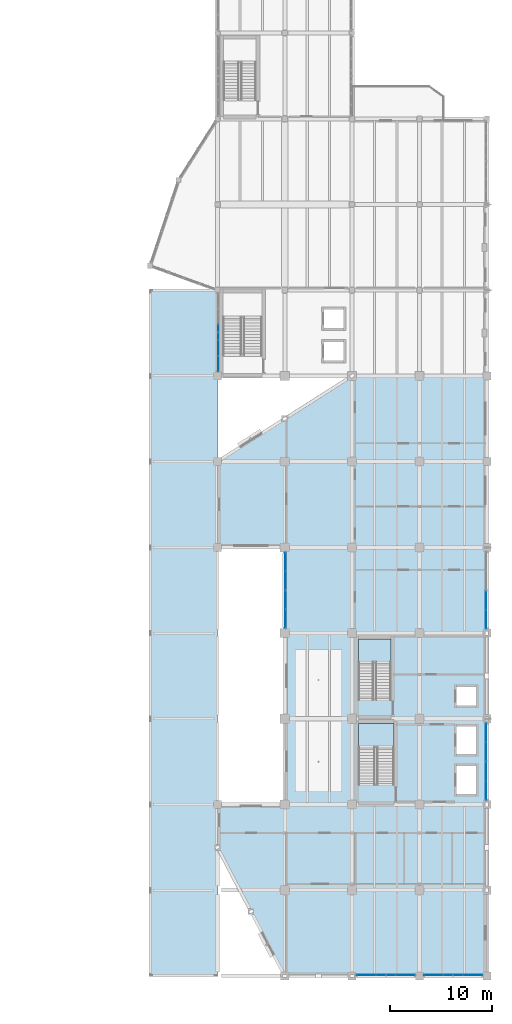
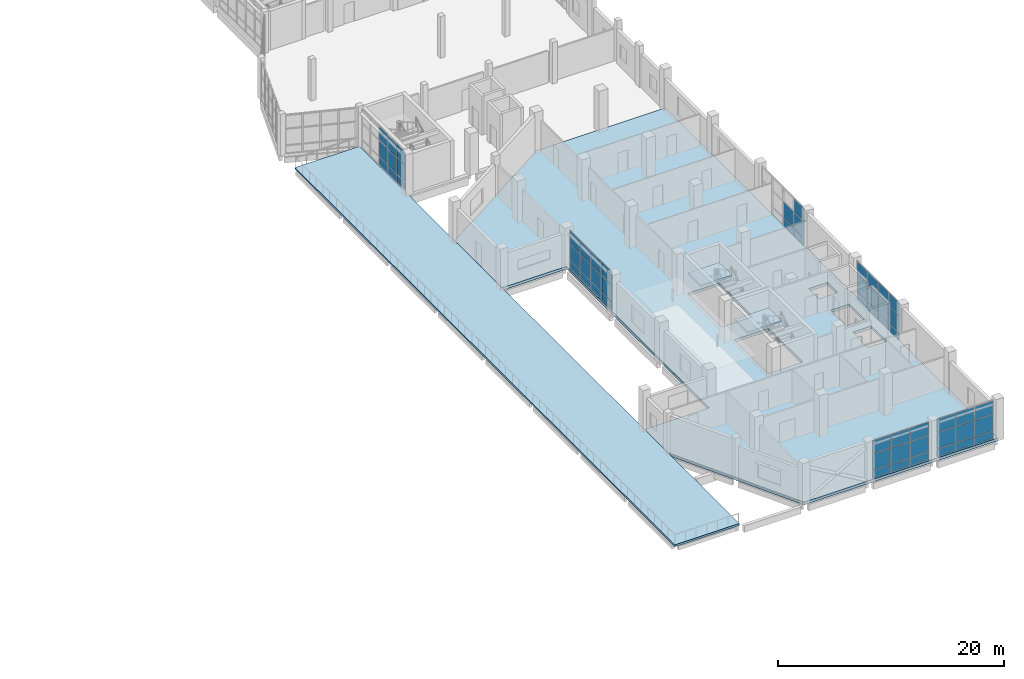
# One storey, part 43 of 83: 56 plates, 4 slabs, 8 elements without a shape of their own.
"""IFC4 building model written with IfcOpenShell, lengths in metres."""

from ifc_helpers import new_model, si_unit, direction, frame, origin, origin_2d, place, context, subcontext, project, spatial, polyline, rectangle, outline, extrude, material, layer, layer_set, type_object, element, aggregate, save


model = new_model("IFC4")

# Units and contexts
model_context = context("Model", 3, precision=1e-05, world=origin(), true_north=direction((0.0, 1.0)))
body_context = subcontext(model_context, "Body", "Model", "MODEL_VIEW")
ifc_project = project(units=[si_unit("LENGTHUNIT", "METRE"), si_unit("AREAUNIT", "SQUARE_METRE"), si_unit("VOLUMEUNIT", "CUBIC_METRE"), si_unit("PLANEANGLEUNIT", "RADIAN"), si_unit("MASSUNIT", "GRAM", prefix="KILO")], contexts=[model_context])

# Site, building, storey
site_placement = place(None, origin())
site = spatial("IfcSite", under=ifc_project, at=site_placement, CompositionType="ELEMENT")
building_placement = place(site_placement, origin())
building = spatial("IfcBuilding", under=site, at=building_placement, Name="Qaldarim Faculty of Natural and Applied Sciences", CompositionType="ELEMENT")
storey_placement = place(building_placement, frame((0.0, 0.0, 5.39990234375)))
storey = spatial("IfcBuildingStorey", under=building, at=storey_placement, Name="L01", CompositionType="ELEMENT", Elevation=5.39990234375)

# Slabs
ifc_material_1 = material(Name="Concrete C40/50", Category="concrete")
ifc_layer_1 = layer(ifc_material_1, 0.199951171875)
ifc_layer_set_1 = layer_set([ifc_layer_1], Name="Concrete C40/50")
slab_type_1 = type_object("IfcSlabType", Name="ColonnadeDeckSlab-200", PredefinedType="FLOOR", material=ifc_layer_set_1)
slab_1_placement = place(storey_placement, frame((0.0, 0.0, -0.199951171875)))
element("IfcSlab", 1, at=slab_1_placement, inside=storey, type_object=slab_type_1, Name="Civic square colonnade terrace deck L01-2", PredefinedType="FLOOR", context=body_context, shape_type="SweptSolid", body=[
    extrude(outline(polyline([(145.199951171875, 0.0), (145.199951171875, 67.199951171875), (151.800048828125, 67.199951171875), (151.800048828125, 0.0), (145.199951171875, 0.0)])), origin(), (0.0, 0.0, 1.0), 0.199951171875),
])
ifc_layer_2 = layer(ifc_material_1, 0.300048828125)
ifc_layer_set_2 = layer_set([ifc_layer_2], Name="Concrete C40/50")
slab_type_2 = type_object("IfcSlabType", Name="PodiumFloorSlab-300", PredefinedType="FLOOR", material=ifc_layer_set_2)
slab_2_placement = place(storey_placement, frame((0.0, 0.0, -0.2998046875)))
element("IfcSlab", 2, at=slab_2_placement, inside=storey, type_object=slab_type_2, Name="Floor slab L01 V5", PredefinedType="FLOOR", context=body_context, shape_type="SweptSolid", body=[
    extrude(outline(polyline([(158.39990234375, 0.0), (178.199951171875, 0.0), (178.199951171875, 58.800048828125), (165.0, 58.800048828125), (151.800048828125, 50.39990234375), (151.800048828125, 42.0), (158.39990234375, 42.0), (158.39990234375, 16.800048828125), (151.800048828125, 16.800048828125), (151.800048828125, 12.60009765625), (158.39990234375, 0.0)]), holes=[polyline([(169.10009765625, 18.764892578125), (169.10009765625, 24.77490234375), (165.60009765625, 24.77490234375), (165.60009765625, 18.764892578125), (169.10009765625, 18.764892578125)]), polyline([(168.800048828125, 27.06494140625), (168.800048828125, 33.02490234375), (165.60009765625, 33.02490234375), (165.60009765625, 27.06494140625), (168.800048828125, 27.06494140625)]), polyline([(175.25, 17.85009765625), (177.14990234375, 17.85009765625), (177.14990234375, 20.550048828125), (175.25, 20.550048828125), (175.25, 17.85009765625)]), polyline([(175.25, 21.75), (177.14990234375, 21.75), (177.14990234375, 24.449951171875), (175.25, 24.449951171875), (175.25, 21.75)]), polyline([(175.25, 26.5), (177.14990234375, 26.5), (177.14990234375, 28.300048828125), (175.25, 28.300048828125), (175.25, 26.5)])]), origin(), (0.0, 0.0, 1.0), 0.2998046875),
])

# Curtain wall, plates
ifc_material_2 = material(Name="Anodised aluminium AW-6063", Category="aluminium")
curtain_wall_type_1 = type_object("IfcCurtainWallType", Name="CurtainWallSystem-M1700", PredefinedType="USERDEFINED", material=ifc_material_2)
curtain_wall_1_placement = place(storey_placement, origin())
curtain_wall_1 = element("IfcCurtainWall", 3, at=curtain_wall_1_placement, inside=storey, type_object=curtain_wall_type_1, Name="Curtain wall CW-L01-W-X25Y05", ObjectType="UNITISED FACADE", PredefinedType="USERDEFINED")
ifc_material_3 = material(Name="Insulated low-e double glazing", Category="glass")
ifc_layer_3 = layer(ifc_material_3, 0.031982421875)
ifc_layer_set_3 = layer_set([ifc_layer_3], Name="Insulated low-e double glazing")
plate_type_1 = type_object("IfcPlateType", Name="SolarControlGlazingPanel-32", PredefinedType="CURTAIN_PANEL", material=ifc_layer_set_3)
plate_1_placement = place(storey_placement, frame((158.47998046875, 40.598876953125, 0.070068359375), z_axis=(0.0, 0.0, 1.0), x_axis=(0.0, -1.0, 0.0)))
plate_1 = element("IfcPlate", 4, at=plate_1_placement, type_object=plate_type_1, Name="Glazed panel 1-1 of CW-L01-W-X25Y05", PredefinedType="CURTAIN_PANEL", context=body_context, shape_type="SweptSolid", body=[
    extrude(rectangle(XDim=1.7724609375, YDim=0.031982421875, at=origin_2d()), origin(), (0.0, 0.0, 1.0), 0.794921875),
])
plate_2_placement = place(storey_placement, frame((158.47998046875, 40.598876953125, 0.93505859375), z_axis=(0.0, 0.0, 1.0), x_axis=(0.0, -1.0, 0.0)))
plate_2 = element("IfcPlate", 5, at=plate_2_placement, type_object=plate_type_1, Name="Glazed panel 1-2 of CW-L01-W-X25Y05", PredefinedType="CURTAIN_PANEL", context=body_context, shape_type="SweptSolid", body=[
    extrude(rectangle(XDim=1.7724609375, YDim=0.031982421875, at=origin_2d()), origin(), (0.0, 0.0, 1.0), 1.72998046875),
])
plate_3_placement = place(storey_placement, frame((158.47998046875, 40.598876953125, 2.735107421875), z_axis=(0.0, 0.0, 1.0), x_axis=(0.0, -1.0, 0.0)))
plate_3 = element("IfcPlate", 6, at=plate_3_placement, type_object=plate_type_1, Name="Glazed panel 1-3 of CW-L01-W-X25Y05", PredefinedType="CURTAIN_PANEL", context=body_context, shape_type="SweptSolid", body=[
    extrude(rectangle(XDim=1.7724609375, YDim=0.031982421875, at=origin_2d()), origin(), (0.0, 0.0, 1.0), 1.39501953125),
])
plate_4_placement = place(storey_placement, frame((158.47998046875, 38.73876953125, 0.070068359375), z_axis=(0.0, 0.0, 1.0), x_axis=(0.0, -1.0, 0.0)))
plate_4 = element("IfcPlate", 7, at=plate_4_placement, type_object=plate_type_1, Name="Glazed panel 2-1 of CW-L01-W-X25Y05", PredefinedType="CURTAIN_PANEL", context=body_context, shape_type="SweptSolid", body=[
    extrude(rectangle(XDim=1.8076171875, YDim=0.031982421875, at=origin_2d()), origin(), (0.0, 0.0, 1.0), 0.794921875),
])
plate_5_placement = place(storey_placement, frame((158.47998046875, 38.73876953125, 0.93505859375), z_axis=(0.0, 0.0, 1.0), x_axis=(0.0, -1.0, 0.0)))
plate_5 = element("IfcPlate", 8, at=plate_5_placement, type_object=plate_type_1, Name="Glazed panel 2-2 of CW-L01-W-X25Y05", PredefinedType="CURTAIN_PANEL", context=body_context, shape_type="SweptSolid", body=[
    extrude(rectangle(XDim=1.8076171875, YDim=0.031982421875, at=origin_2d()), origin(), (0.0, 0.0, 1.0), 1.72998046875),
])
plate_6_placement = place(storey_placement, frame((158.47998046875, 38.73876953125, 2.735107421875), z_axis=(0.0, 0.0, 1.0), x_axis=(0.0, -1.0, 0.0)))
plate_6 = element("IfcPlate", 9, at=plate_6_placement, type_object=plate_type_1, Name="Glazed panel 2-3 of CW-L01-W-X25Y05", PredefinedType="CURTAIN_PANEL", context=body_context, shape_type="SweptSolid", body=[
    extrude(rectangle(XDim=1.8076171875, YDim=0.031982421875, at=origin_2d()), origin(), (0.0, 0.0, 1.0), 1.39501953125),
])
plate_7_placement = place(storey_placement, frame((158.47998046875, 36.861083984375, 0.070068359375), z_axis=(0.0, 0.0, 1.0), x_axis=(0.0, -1.0, 0.0)))
plate_7 = element("IfcPlate", 10, at=plate_7_placement, type_object=plate_type_1, Name="Glazed panel 3-1 of CW-L01-W-X25Y05", PredefinedType="CURTAIN_PANEL", context=body_context, shape_type="SweptSolid", body=[
    extrude(rectangle(XDim=1.8076171875, YDim=0.031982421875, at=origin_2d()), origin(), (0.0, 0.0, 1.0), 0.794921875),
])
plate_8_placement = place(storey_placement, frame((158.47998046875, 36.861083984375, 0.93505859375), z_axis=(0.0, 0.0, 1.0), x_axis=(0.0, -1.0, 0.0)))
plate_8 = element("IfcPlate", 11, at=plate_8_placement, type_object=plate_type_1, Name="Glazed panel 3-2 of CW-L01-W-X25Y05", PredefinedType="CURTAIN_PANEL", context=body_context, shape_type="SweptSolid", body=[
    extrude(rectangle(XDim=1.8076171875, YDim=0.031982421875, at=origin_2d()), origin(), (0.0, 0.0, 1.0), 1.72998046875),
])
plate_9_placement = place(storey_placement, frame((158.47998046875, 36.861083984375, 2.735107421875), z_axis=(0.0, 0.0, 1.0), x_axis=(0.0, -1.0, 0.0)))
plate_9 = element("IfcPlate", 12, at=plate_9_placement, type_object=plate_type_1, Name="Glazed panel 3-3 of CW-L01-W-X25Y05", PredefinedType="CURTAIN_PANEL", context=body_context, shape_type="SweptSolid", body=[
    extrude(rectangle(XDim=1.8076171875, YDim=0.031982421875, at=origin_2d()), origin(), (0.0, 0.0, 1.0), 1.39501953125),
])
plate_10_placement = place(storey_placement, frame((158.47998046875, 35.001220703125, 0.070068359375), z_axis=(0.0, 0.0, 1.0), x_axis=(0.0, -1.0, 0.0)))
plate_10 = element("IfcPlate", 13, at=plate_10_placement, type_object=plate_type_1, Name="Glazed panel 4-1 of CW-L01-W-X25Y05", PredefinedType="CURTAIN_PANEL", context=body_context, shape_type="SweptSolid", body=[
    extrude(rectangle(XDim=1.7724609375, YDim=0.031982421875, at=origin_2d()), origin(), (0.0, 0.0, 1.0), 0.794921875),
])
plate_11_placement = place(storey_placement, frame((158.47998046875, 35.001220703125, 0.93505859375), z_axis=(0.0, 0.0, 1.0), x_axis=(0.0, -1.0, 0.0)))
plate_11 = element("IfcPlate", 14, at=plate_11_placement, type_object=plate_type_1, Name="Glazed panel 4-2 of CW-L01-W-X25Y05", PredefinedType="CURTAIN_PANEL", context=body_context, shape_type="SweptSolid", body=[
    extrude(rectangle(XDim=1.7724609375, YDim=0.031982421875, at=origin_2d()), origin(), (0.0, 0.0, 1.0), 1.72998046875),
])
plate_12_placement = place(storey_placement, frame((158.47998046875, 35.001220703125, 2.735107421875), z_axis=(0.0, 0.0, 1.0), x_axis=(0.0, -1.0, 0.0)))
plate_12 = element("IfcPlate", 15, at=plate_12_placement, type_object=plate_type_1, Name="Glazed panel 4-3 of CW-L01-W-X25Y05", PredefinedType="CURTAIN_PANEL", context=body_context, shape_type="SweptSolid", body=[
    extrude(rectangle(XDim=1.7724609375, YDim=0.031982421875, at=origin_2d()), origin(), (0.0, 0.0, 1.0), 1.39501953125),
])
aggregate(curtain_wall_1, [plate_1, plate_2, plate_3, plate_4, plate_5, plate_6, plate_7, plate_8, plate_9, plate_10, plate_11, plate_12])

curtain_wall_2_placement = place(storey_placement, origin())
curtain_wall_2 = element("IfcCurtainWall", 16, at=curtain_wall_2_placement, inside=storey, type_object=curtain_wall_type_1, Name="Curtain wall CW-L01-S-X26Y01", ObjectType="UNITISED FACADE", PredefinedType="USERDEFINED")
plate_13_placement = place(storey_placement, frame((166.380859375, 0.080078125, 0.070068359375), z_axis=(0.0, 0.0, 1.0), x_axis=(1.0, 0.0, 0.0)))
plate_13 = element("IfcPlate", 17, at=plate_13_placement, type_object=plate_type_1, Name="Glazed panel 1-1 of CW-L01-S-X26Y01", PredefinedType="CURTAIN_PANEL", context=body_context, shape_type="SweptSolid", body=[
    extrude(rectangle(XDim=1.831787109375, YDim=0.031982421875, at=origin_2d()), origin(), (0.0, 0.0, 1.0), 0.794921875),
])
plate_14_placement = place(storey_placement, frame((166.380859375, 0.080078125, 0.93505859375), z_axis=(0.0, 0.0, 1.0), x_axis=(1.0, 0.0, 0.0)))
plate_14 = element("IfcPlate", 18, at=plate_14_placement, type_object=plate_type_1, Name="Glazed panel 1-2 of CW-L01-S-X26Y01", PredefinedType="CURTAIN_PANEL", context=body_context, shape_type="SweptSolid", body=[
    extrude(rectangle(XDim=1.831787109375, YDim=0.031982421875, at=origin_2d()), origin(), (0.0, 0.0, 1.0), 1.72998046875),
])
plate_15_placement = place(storey_placement, frame((166.380859375, 0.080078125, 2.735107421875), z_axis=(0.0, 0.0, 1.0), x_axis=(1.0, 0.0, 0.0)))
plate_15 = element("IfcPlate", 19, at=plate_15_placement, type_object=plate_type_1, Name="Glazed panel 1-3 of CW-L01-S-X26Y01", PredefinedType="CURTAIN_PANEL", context=body_context, shape_type="SweptSolid", body=[
    extrude(rectangle(XDim=1.831787109375, YDim=0.031982421875, at=origin_2d()), origin(), (0.0, 0.0, 1.0), 1.39501953125),
])
plate_16_placement = place(storey_placement, frame((168.300048828125, 0.080078125, 0.070068359375), z_axis=(0.0, 0.0, 1.0), x_axis=(1.0, 0.0, 0.0)))
plate_16 = element("IfcPlate", 20, at=plate_16_placement, type_object=plate_type_1, Name="Glazed panel 2-1 of CW-L01-S-X26Y01", PredefinedType="CURTAIN_PANEL", context=body_context, shape_type="SweptSolid", body=[
    extrude(rectangle(XDim=1.86669921875, YDim=0.031982421875, at=origin_2d()), origin(), (0.0, 0.0, 1.0), 0.794921875),
])
plate_17_placement = place(storey_placement, frame((168.300048828125, 0.080078125, 0.93505859375), z_axis=(0.0, 0.0, 1.0), x_axis=(1.0, 0.0, 0.0)))
plate_17 = element("IfcPlate", 21, at=plate_17_placement, type_object=plate_type_1, Name="Glazed panel 2-2 of CW-L01-S-X26Y01", PredefinedType="CURTAIN_PANEL", context=body_context, shape_type="SweptSolid", body=[
    extrude(rectangle(XDim=1.86669921875, YDim=0.031982421875, at=origin_2d()), origin(), (0.0, 0.0, 1.0), 1.72998046875),
])
plate_18_placement = place(storey_placement, frame((168.300048828125, 0.080078125, 2.735107421875), z_axis=(0.0, 0.0, 1.0), x_axis=(1.0, 0.0, 0.0)))
plate_18 = element("IfcPlate", 22, at=plate_18_placement, type_object=plate_type_1, Name="Glazed panel 2-3 of CW-L01-S-X26Y01", PredefinedType="CURTAIN_PANEL", context=body_context, shape_type="SweptSolid", body=[
    extrude(rectangle(XDim=1.86669921875, YDim=0.031982421875, at=origin_2d()), origin(), (0.0, 0.0, 1.0), 1.39501953125),
])
plate_19_placement = place(storey_placement, frame((170.21923828125, 0.080078125, 0.070068359375), z_axis=(0.0, 0.0, 1.0), x_axis=(1.0, 0.0, 0.0)))
plate_19 = element("IfcPlate", 23, at=plate_19_placement, type_object=plate_type_1, Name="Glazed panel 3-1 of CW-L01-S-X26Y01", PredefinedType="CURTAIN_PANEL", context=body_context, shape_type="SweptSolid", body=[
    extrude(rectangle(XDim=1.831787109375, YDim=0.031982421875, at=origin_2d()), origin(), (0.0, 0.0, 1.0), 0.794921875),
])
plate_20_placement = place(storey_placement, frame((170.21923828125, 0.080078125, 0.93505859375), z_axis=(0.0, 0.0, 1.0), x_axis=(1.0, 0.0, 0.0)))
plate_20 = element("IfcPlate", 24, at=plate_20_placement, type_object=plate_type_1, Name="Glazed panel 3-2 of CW-L01-S-X26Y01", PredefinedType="CURTAIN_PANEL", context=body_context, shape_type="SweptSolid", body=[
    extrude(rectangle(XDim=1.831787109375, YDim=0.031982421875, at=origin_2d()), origin(), (0.0, 0.0, 1.0), 1.72998046875),
])
plate_21_placement = place(storey_placement, frame((170.21923828125, 0.080078125, 2.735107421875), z_axis=(0.0, 0.0, 1.0), x_axis=(1.0, 0.0, 0.0)))
plate_21 = element("IfcPlate", 25, at=plate_21_placement, type_object=plate_type_1, Name="Glazed panel 3-3 of CW-L01-S-X26Y01", PredefinedType="CURTAIN_PANEL", context=body_context, shape_type="SweptSolid", body=[
    extrude(rectangle(XDim=1.831787109375, YDim=0.031982421875, at=origin_2d()), origin(), (0.0, 0.0, 1.0), 1.39501953125),
])
aggregate(curtain_wall_2, [plate_13, plate_14, plate_15, plate_16, plate_17, plate_18, plate_19, plate_20, plate_21])

curtain_wall_3_placement = place(storey_placement, origin())
curtain_wall_3 = element("IfcCurtainWall", 26, at=curtain_wall_3_placement, inside=storey, type_object=curtain_wall_type_1, Name="Curtain wall CW-L01-S-X27Y01", ObjectType="UNITISED FACADE", PredefinedType="USERDEFINED")
plate_22_placement = place(storey_placement, frame((172.980712890625, 0.080078125, 0.070068359375), z_axis=(0.0, 0.0, 1.0), x_axis=(1.0, 0.0, 0.0)))
plate_22 = element("IfcPlate", 27, at=plate_22_placement, type_object=plate_type_1, Name="Glazed panel 1-1 of CW-L01-S-X27Y01", PredefinedType="CURTAIN_PANEL", context=body_context, shape_type="SweptSolid", body=[
    extrude(rectangle(XDim=1.831787109375, YDim=0.031982421875, at=origin_2d()), origin(), (0.0, 0.0, 1.0), 0.794921875),
])
plate_23_placement = place(storey_placement, frame((172.980712890625, 0.080078125, 0.93505859375), z_axis=(0.0, 0.0, 1.0), x_axis=(1.0, 0.0, 0.0)))
plate_23 = element("IfcPlate", 28, at=plate_23_placement, type_object=plate_type_1, Name="Glazed panel 1-2 of CW-L01-S-X27Y01", PredefinedType="CURTAIN_PANEL", context=body_context, shape_type="SweptSolid", body=[
    extrude(rectangle(XDim=1.831787109375, YDim=0.031982421875, at=origin_2d()), origin(), (0.0, 0.0, 1.0), 1.72998046875),
])
plate_24_placement = place(storey_placement, frame((172.980712890625, 0.080078125, 2.735107421875), z_axis=(0.0, 0.0, 1.0), x_axis=(1.0, 0.0, 0.0)))
plate_24 = element("IfcPlate", 29, at=plate_24_placement, type_object=plate_type_1, Name="Glazed panel 1-3 of CW-L01-S-X27Y01", PredefinedType="CURTAIN_PANEL", context=body_context, shape_type="SweptSolid", body=[
    extrude(rectangle(XDim=1.831787109375, YDim=0.031982421875, at=origin_2d()), origin(), (0.0, 0.0, 1.0), 1.39501953125),
])
plate_25_placement = place(storey_placement, frame((174.89990234375, 0.080078125, 0.070068359375), z_axis=(0.0, 0.0, 1.0), x_axis=(1.0, 0.0, 0.0)))
plate_25 = element("IfcPlate", 30, at=plate_25_placement, type_object=plate_type_1, Name="Glazed panel 2-1 of CW-L01-S-X27Y01", PredefinedType="CURTAIN_PANEL", context=body_context, shape_type="SweptSolid", body=[
    extrude(rectangle(XDim=1.86669921875, YDim=0.031982421875, at=origin_2d()), origin(), (0.0, 0.0, 1.0), 0.794921875),
])
plate_26_placement = place(storey_placement, frame((174.89990234375, 0.080078125, 0.93505859375), z_axis=(0.0, 0.0, 1.0), x_axis=(1.0, 0.0, 0.0)))
plate_26 = element("IfcPlate", 31, at=plate_26_placement, type_object=plate_type_1, Name="Glazed panel 2-2 of CW-L01-S-X27Y01", PredefinedType="CURTAIN_PANEL", context=body_context, shape_type="SweptSolid", body=[
    extrude(rectangle(XDim=1.86669921875, YDim=0.031982421875, at=origin_2d()), origin(), (0.0, 0.0, 1.0), 1.72998046875),
])
plate_27_placement = place(storey_placement, frame((174.89990234375, 0.080078125, 2.735107421875), z_axis=(0.0, 0.0, 1.0), x_axis=(1.0, 0.0, 0.0)))
plate_27 = element("IfcPlate", 32, at=plate_27_placement, type_object=plate_type_1, Name="Glazed panel 2-3 of CW-L01-S-X27Y01", PredefinedType="CURTAIN_PANEL", context=body_context, shape_type="SweptSolid", body=[
    extrude(rectangle(XDim=1.86669921875, YDim=0.031982421875, at=origin_2d()), origin(), (0.0, 0.0, 1.0), 1.39501953125),
])
plate_28_placement = place(storey_placement, frame((176.819091796875, 0.080078125, 0.070068359375), z_axis=(0.0, 0.0, 1.0), x_axis=(1.0, 0.0, 0.0)))
plate_28 = element("IfcPlate", 33, at=plate_28_placement, type_object=plate_type_1, Name="Glazed panel 3-1 of CW-L01-S-X27Y01", PredefinedType="CURTAIN_PANEL", context=body_context, shape_type="SweptSolid", body=[
    extrude(rectangle(XDim=1.831787109375, YDim=0.031982421875, at=origin_2d()), origin(), (0.0, 0.0, 1.0), 0.794921875),
])
plate_29_placement = place(storey_placement, frame((176.819091796875, 0.080078125, 0.93505859375), z_axis=(0.0, 0.0, 1.0), x_axis=(1.0, 0.0, 0.0)))
plate_29 = element("IfcPlate", 34, at=plate_29_placement, type_object=plate_type_1, Name="Glazed panel 3-2 of CW-L01-S-X27Y01", PredefinedType="CURTAIN_PANEL", context=body_context, shape_type="SweptSolid", body=[
    extrude(rectangle(XDim=1.831787109375, YDim=0.031982421875, at=origin_2d()), origin(), (0.0, 0.0, 1.0), 1.72998046875),
])
plate_30_placement = place(storey_placement, frame((176.819091796875, 0.080078125, 2.735107421875), z_axis=(0.0, 0.0, 1.0), x_axis=(1.0, 0.0, 0.0)))
plate_30 = element("IfcPlate", 35, at=plate_30_placement, type_object=plate_type_1, Name="Glazed panel 3-3 of CW-L01-S-X27Y01", PredefinedType="CURTAIN_PANEL", context=body_context, shape_type="SweptSolid", body=[
    extrude(rectangle(XDim=1.831787109375, YDim=0.031982421875, at=origin_2d()), origin(), (0.0, 0.0, 1.0), 1.39501953125),
])
aggregate(curtain_wall_3, [plate_22, plate_23, plate_24, plate_25, plate_26, plate_27, plate_28, plate_29, plate_30])

curtain_wall_4_placement = place(storey_placement, origin())
curtain_wall_4 = element("IfcCurtainWall", 36, at=curtain_wall_4_placement, inside=storey, type_object=curtain_wall_type_1, Name="Curtain wall CW-L01-E-X27Y03", ObjectType="UNITISED FACADE", PredefinedType="USERDEFINED")
plate_31_placement = place(storey_placement, frame((178.1201171875, 18.163818359375, 0.070068359375), z_axis=(0.0, 0.0, 1.0), x_axis=(0.0, 1.0, 0.0)))
plate_31 = element("IfcPlate", 37, at=plate_31_placement, type_object=plate_type_1, Name="Glazed panel 1-1 of CW-L01-E-X27Y03", PredefinedType="CURTAIN_PANEL", context=body_context, shape_type="SweptSolid", body=[
    extrude(rectangle(XDim=1.797607421875, YDim=0.031982421875, at=origin_2d()), origin(), (0.0, 0.0, 1.0), 0.794921875),
])
plate_32_placement = place(storey_placement, frame((178.1201171875, 18.163818359375, 0.93505859375), z_axis=(0.0, 0.0, 1.0), x_axis=(0.0, 1.0, 0.0)))
plate_32 = element("IfcPlate", 38, at=plate_32_placement, type_object=plate_type_1, Name="Glazed panel 1-2 of CW-L01-E-X27Y03", PredefinedType="CURTAIN_PANEL", context=body_context, shape_type="SweptSolid", body=[
    extrude(rectangle(XDim=1.797607421875, YDim=0.031982421875, at=origin_2d()), origin(), (0.0, 0.0, 1.0), 1.72998046875),
])
plate_33_placement = place(storey_placement, frame((178.1201171875, 18.163818359375, 2.735107421875), z_axis=(0.0, 0.0, 1.0), x_axis=(0.0, 1.0, 0.0)))
plate_33 = element("IfcPlate", 39, at=plate_33_placement, type_object=plate_type_1, Name="Glazed panel 1-3 of CW-L01-E-X27Y03", PredefinedType="CURTAIN_PANEL", context=body_context, shape_type="SweptSolid", body=[
    extrude(rectangle(XDim=1.797607421875, YDim=0.031982421875, at=origin_2d()), origin(), (0.0, 0.0, 1.0), 1.39501953125),
])
plate_34_placement = place(storey_placement, frame((178.1201171875, 20.048583984375, 0.070068359375), z_axis=(0.0, 0.0, 1.0), x_axis=(0.0, 1.0, 0.0)))
plate_34 = element("IfcPlate", 40, at=plate_34_placement, type_object=plate_type_1, Name="Glazed panel 2-1 of CW-L01-E-X27Y03", PredefinedType="CURTAIN_PANEL", context=body_context, shape_type="SweptSolid", body=[
    extrude(rectangle(XDim=1.83251953125, YDim=0.031982421875, at=origin_2d()), origin(), (0.0, 0.0, 1.0), 0.794921875),
])
plate_35_placement = place(storey_placement, frame((178.1201171875, 20.048583984375, 0.93505859375), z_axis=(0.0, 0.0, 1.0), x_axis=(0.0, 1.0, 0.0)))
plate_35 = element("IfcPlate", 41, at=plate_35_placement, type_object=plate_type_1, Name="Glazed panel 2-2 of CW-L01-E-X27Y03", PredefinedType="CURTAIN_PANEL", context=body_context, shape_type="SweptSolid", body=[
    extrude(rectangle(XDim=1.83251953125, YDim=0.031982421875, at=origin_2d()), origin(), (0.0, 0.0, 1.0), 1.72998046875),
])
plate_36_placement = place(storey_placement, frame((178.1201171875, 20.048583984375, 2.735107421875), z_axis=(0.0, 0.0, 1.0), x_axis=(0.0, 1.0, 0.0)))
plate_36 = element("IfcPlate", 42, at=plate_36_placement, type_object=plate_type_1, Name="Glazed panel 2-3 of CW-L01-E-X27Y03", PredefinedType="CURTAIN_PANEL", context=body_context, shape_type="SweptSolid", body=[
    extrude(rectangle(XDim=1.83251953125, YDim=0.031982421875, at=origin_2d()), origin(), (0.0, 0.0, 1.0), 1.39501953125),
])
plate_37_placement = place(storey_placement, frame((178.1201171875, 21.951416015625, 0.070068359375), z_axis=(0.0, 0.0, 1.0), x_axis=(0.0, 1.0, 0.0)))
plate_37 = element("IfcPlate", 43, at=plate_37_placement, type_object=plate_type_1, Name="Glazed panel 3-1 of CW-L01-E-X27Y03", PredefinedType="CURTAIN_PANEL", context=body_context, shape_type="SweptSolid", body=[
    extrude(rectangle(XDim=1.83251953125, YDim=0.031982421875, at=origin_2d()), origin(), (0.0, 0.0, 1.0), 0.794921875),
])
plate_38_placement = place(storey_placement, frame((178.1201171875, 21.951416015625, 0.93505859375), z_axis=(0.0, 0.0, 1.0), x_axis=(0.0, 1.0, 0.0)))
plate_38 = element("IfcPlate", 44, at=plate_38_placement, type_object=plate_type_1, Name="Glazed panel 3-2 of CW-L01-E-X27Y03", PredefinedType="CURTAIN_PANEL", context=body_context, shape_type="SweptSolid", body=[
    extrude(rectangle(XDim=1.83251953125, YDim=0.031982421875, at=origin_2d()), origin(), (0.0, 0.0, 1.0), 1.72998046875),
])
plate_39_placement = place(storey_placement, frame((178.1201171875, 21.951416015625, 2.735107421875), z_axis=(0.0, 0.0, 1.0), x_axis=(0.0, 1.0, 0.0)))
plate_39 = element("IfcPlate", 45, at=plate_39_placement, type_object=plate_type_1, Name="Glazed panel 3-3 of CW-L01-E-X27Y03", PredefinedType="CURTAIN_PANEL", context=body_context, shape_type="SweptSolid", body=[
    extrude(rectangle(XDim=1.83251953125, YDim=0.031982421875, at=origin_2d()), origin(), (0.0, 0.0, 1.0), 1.39501953125),
])
plate_40_placement = place(storey_placement, frame((178.1201171875, 23.836181640625, 0.070068359375), z_axis=(0.0, 0.0, 1.0), x_axis=(0.0, 1.0, 0.0)))
plate_40 = element("IfcPlate", 46, at=plate_40_placement, type_object=plate_type_1, Name="Glazed panel 4-1 of CW-L01-E-X27Y03", PredefinedType="CURTAIN_PANEL", context=body_context, shape_type="SweptSolid", body=[
    extrude(rectangle(XDim=1.797607421875, YDim=0.031982421875, at=origin_2d()), origin(), (0.0, 0.0, 1.0), 0.794921875),
])
plate_41_placement = place(storey_placement, frame((178.1201171875, 23.836181640625, 0.93505859375), z_axis=(0.0, 0.0, 1.0), x_axis=(0.0, 1.0, 0.0)))
plate_41 = element("IfcPlate", 47, at=plate_41_placement, type_object=plate_type_1, Name="Glazed panel 4-2 of CW-L01-E-X27Y03", PredefinedType="CURTAIN_PANEL", context=body_context, shape_type="SweptSolid", body=[
    extrude(rectangle(XDim=1.797607421875, YDim=0.031982421875, at=origin_2d()), origin(), (0.0, 0.0, 1.0), 1.72998046875),
])
plate_42_placement = place(storey_placement, frame((178.1201171875, 23.836181640625, 2.735107421875), z_axis=(0.0, 0.0, 1.0), x_axis=(0.0, 1.0, 0.0)))
plate_42 = element("IfcPlate", 48, at=plate_42_placement, type_object=plate_type_1, Name="Glazed panel 4-3 of CW-L01-E-X27Y03", PredefinedType="CURTAIN_PANEL", context=body_context, shape_type="SweptSolid", body=[
    extrude(rectangle(XDim=1.797607421875, YDim=0.031982421875, at=origin_2d()), origin(), (0.0, 0.0, 1.0), 1.39501953125),
])
aggregate(curtain_wall_4, [plate_31, plate_32, plate_33, plate_34, plate_35, plate_36, plate_37, plate_38, plate_39, plate_40, plate_41, plate_42])

curtain_wall_5_placement = place(storey_placement, origin())
curtain_wall_5 = element("IfcCurtainWall", 49, at=curtain_wall_5_placement, inside=storey, type_object=curtain_wall_type_1, Name="Curtain wall CW-L01-E-X27Y05", ObjectType="UNITISED FACADE", PredefinedType="USERDEFINED")
plate_43_placement = place(storey_placement, frame((178.1201171875, 34.963623046875, 0.070068359375), z_axis=(0.0, 0.0, 1.0), x_axis=(0.0, 1.0, 0.0)))
plate_43 = element("IfcPlate", 50, at=plate_43_placement, type_object=plate_type_1, Name="Glazed panel 1-1 of CW-L01-E-X27Y05", PredefinedType="CURTAIN_PANEL", context=body_context, shape_type="SweptSolid", body=[
    extrude(rectangle(XDim=1.797607421875, YDim=0.031982421875, at=origin_2d()), origin(), (0.0, 0.0, 1.0), 0.794921875),
])
plate_44_placement = place(storey_placement, frame((178.1201171875, 34.963623046875, 0.93505859375), z_axis=(0.0, 0.0, 1.0), x_axis=(0.0, 1.0, 0.0)))
plate_44 = element("IfcPlate", 51, at=plate_44_placement, type_object=plate_type_1, Name="Glazed panel 1-2 of CW-L01-E-X27Y05", PredefinedType="CURTAIN_PANEL", context=body_context, shape_type="SweptSolid", body=[
    extrude(rectangle(XDim=1.797607421875, YDim=0.031982421875, at=origin_2d()), origin(), (0.0, 0.0, 1.0), 1.72998046875),
])
plate_45_placement = place(storey_placement, frame((178.1201171875, 34.963623046875, 2.735107421875), z_axis=(0.0, 0.0, 1.0), x_axis=(0.0, 1.0, 0.0)))
plate_45 = element("IfcPlate", 52, at=plate_45_placement, type_object=plate_type_1, Name="Glazed panel 1-3 of CW-L01-E-X27Y05", PredefinedType="CURTAIN_PANEL", context=body_context, shape_type="SweptSolid", body=[
    extrude(rectangle(XDim=1.797607421875, YDim=0.031982421875, at=origin_2d()), origin(), (0.0, 0.0, 1.0), 1.39501953125),
])
plate_46_placement = place(storey_placement, frame((178.1201171875, 36.8486328125, 0.070068359375), z_axis=(0.0, 0.0, 1.0), x_axis=(0.0, 1.0, 0.0)))
plate_46 = element("IfcPlate", 53, at=plate_46_placement, type_object=plate_type_1, Name="Glazed panel 2-1 of CW-L01-E-X27Y05", PredefinedType="CURTAIN_PANEL", context=body_context, shape_type="SweptSolid", body=[
    extrude(rectangle(XDim=1.83251953125, YDim=0.031982421875, at=origin_2d()), origin(), (0.0, 0.0, 1.0), 0.794921875),
])
plate_47_placement = place(storey_placement, frame((178.1201171875, 36.8486328125, 0.93505859375), z_axis=(0.0, 0.0, 1.0), x_axis=(0.0, 1.0, 0.0)))
plate_47 = element("IfcPlate", 54, at=plate_47_placement, type_object=plate_type_1, Name="Glazed panel 2-2 of CW-L01-E-X27Y05", PredefinedType="CURTAIN_PANEL", context=body_context, shape_type="SweptSolid", body=[
    extrude(rectangle(XDim=1.83251953125, YDim=0.031982421875, at=origin_2d()), origin(), (0.0, 0.0, 1.0), 1.72998046875),
])
aggregate(curtain_wall_5, [plate_43, plate_44, plate_45, plate_46, plate_47])

# Stair, slab
stair_type_1 = type_object("IfcStairType", Name="DoglegStair-W1650-H4500-28R", PredefinedType="HALF_TURN_STAIR", material=ifc_material_1)
stair_1_placement = place(storey_placement, origin())
stair_1 = element("IfcStair", 55, at=stair_1_placement, inside=storey, type_object=stair_type_1, Name="Enclosed exit stair ST-A1 L01", PredefinedType="HALF_TURN_STAIR")
ifc_layer_4 = layer(ifc_material_1, 0.2099609375)
ifc_layer_set_4 = layer_set([ifc_layer_4], Name="Concrete C40/50")
slab_type_3 = type_object("IfcSlabType", Name="StairLandingSlab-210", PredefinedType="LANDING", material=ifc_layer_set_4)
slab_3_placement = place(storey_placement, frame((0.0, 0.0, 2.0400390625)))
slab_3 = element("IfcSlab", 56, at=slab_3_placement, type_object=slab_type_3, Name="ST-A1 L01 half-landing 1", PredefinedType="LANDING", context=body_context, shape_type="SweptSolid", body=[
    extrude(outline(polyline([(169.10009765625, 22.43994140625), (169.10009765625, 24.75), (165.60009765625, 24.75), (165.60009765625, 22.43994140625), (169.10009765625, 22.43994140625)])), origin(), (0.0, 0.0, 1.0), 0.2099609375),
])
aggregate(stair_1, [slab_3])

stair_type_2 = type_object("IfcStairType", Name="DoglegStair-W1500-H4500-28R", PredefinedType="HALF_TURN_STAIR", material=ifc_material_1)
stair_2_placement = place(storey_placement, origin())
stair_2 = element("IfcStair", 57, at=stair_2_placement, inside=storey, type_object=stair_type_2, Name="Enclosed exit stair ST-A2 L01", PredefinedType="HALF_TURN_STAIR")
slab_4_placement = place(storey_placement, frame((0.0, 0.0, 2.0400390625)))
slab_4 = element("IfcSlab", 58, at=slab_4_placement, type_object=slab_type_3, Name="ST-A2 L01 half-landing 1", PredefinedType="LANDING", context=body_context, shape_type="SweptSolid", body=[
    extrude(outline(polyline([(168.800048828125, 30.739990234375), (168.800048828125, 33.0), (165.60009765625, 33.0), (165.60009765625, 30.739990234375), (168.800048828125, 30.739990234375)])), origin(), (0.0, 0.0, 1.0), 0.2099609375),
])
aggregate(stair_2, [slab_4])

# Curtain wall, plates
curtain_wall_type_2 = type_object("IfcCurtainWallType", Name="CurtainWallSystem-M1600", PredefinedType="USERDEFINED", material=ifc_material_2)
curtain_wall_6_placement = place(storey_placement, origin())
curtain_wall_6 = element("IfcCurtainWall", 59, at=curtain_wall_6_placement, inside=storey, type_object=curtain_wall_type_2, Name="Curtain wall CW-L01-W-X24Y08", ObjectType="UNITISED FACADE", PredefinedType="USERDEFINED")
ifc_layer_5 = layer(ifc_material_3, 0.028076171875)
ifc_layer_set_5 = layer_set([ifc_layer_5], Name="Insulated low-e double glazing")
plate_type_2 = type_object("IfcPlateType", Name="VisionGlazingPanel-28", PredefinedType="CURTAIN_PANEL", material=ifc_layer_set_5)
plate_48_placement = place(storey_placement, frame((151.8798828125, 63.074951171875, 0.06005859375), z_axis=(0.0, 0.0, 1.0), x_axis=(0.0, -1.0, 0.0)))
plate_48 = element("IfcPlate", 60, at=plate_48_placement, type_object=plate_type_2, Name="Glazed panel 3-1 of CW-L01-W-X24Y08", PredefinedType="CURTAIN_PANEL", context=body_context, shape_type="SweptSolid", body=[
    extrude(rectangle(XDim=1.491943359375, YDim=0.028076171875, at=origin_2d()), origin(), (0.0, 0.0, 1.0), 0.81005859375),
])
plate_49_placement = place(storey_placement, frame((151.8798828125, 63.074951171875, 0.93017578125), z_axis=(0.0, 0.0, 1.0), x_axis=(0.0, -1.0, 0.0)))
plate_49 = element("IfcPlate", 61, at=plate_49_placement, type_object=plate_type_2, Name="Glazed panel 3-2 of CW-L01-W-X24Y08", PredefinedType="CURTAIN_PANEL", context=body_context, shape_type="SweptSolid", body=[
    extrude(rectangle(XDim=1.491943359375, YDim=0.028076171875, at=origin_2d()), origin(), (0.0, 0.0, 1.0), 1.739990234375),
])
plate_50_placement = place(storey_placement, frame((151.8798828125, 63.074951171875, 2.72998046875), z_axis=(0.0, 0.0, 1.0), x_axis=(0.0, -1.0, 0.0)))
plate_50 = element("IfcPlate", 62, at=plate_50_placement, type_object=plate_type_2, Name="Glazed panel 3-3 of CW-L01-W-X24Y08", PredefinedType="CURTAIN_PANEL", context=body_context, shape_type="SweptSolid", body=[
    extrude(rectangle(XDim=1.491943359375, YDim=0.028076171875, at=origin_2d()), origin(), (0.0, 0.0, 1.0), 1.409912109375),
])
plate_51_placement = place(storey_placement, frame((151.8798828125, 61.52294921875, 0.06005859375), z_axis=(0.0, 0.0, 1.0), x_axis=(0.0, -1.0, 0.0)))
plate_51 = element("IfcPlate", 63, at=plate_51_placement, type_object=plate_type_2, Name="Glazed panel 4-1 of CW-L01-W-X24Y08", PredefinedType="CURTAIN_PANEL", context=body_context, shape_type="SweptSolid", body=[
    extrude(rectangle(XDim=1.491943359375, YDim=0.028076171875, at=origin_2d()), origin(), (0.0, 0.0, 1.0), 0.81005859375),
])
plate_52_placement = place(storey_placement, frame((151.8798828125, 61.52294921875, 0.93017578125), z_axis=(0.0, 0.0, 1.0), x_axis=(0.0, -1.0, 0.0)))
plate_52 = element("IfcPlate", 64, at=plate_52_placement, type_object=plate_type_2, Name="Glazed panel 4-2 of CW-L01-W-X24Y08", PredefinedType="CURTAIN_PANEL", context=body_context, shape_type="SweptSolid", body=[
    extrude(rectangle(XDim=1.491943359375, YDim=0.028076171875, at=origin_2d()), origin(), (0.0, 0.0, 1.0), 1.739990234375),
])
plate_53_placement = place(storey_placement, frame((151.8798828125, 61.52294921875, 2.72998046875), z_axis=(0.0, 0.0, 1.0), x_axis=(0.0, -1.0, 0.0)))
plate_53 = element("IfcPlate", 65, at=plate_53_placement, type_object=plate_type_2, Name="Glazed panel 4-3 of CW-L01-W-X24Y08", PredefinedType="CURTAIN_PANEL", context=body_context, shape_type="SweptSolid", body=[
    extrude(rectangle(XDim=1.491943359375, YDim=0.028076171875, at=origin_2d()), origin(), (0.0, 0.0, 1.0), 1.409912109375),
])
plate_54_placement = place(storey_placement, frame((151.8798828125, 59.986083984375, 0.06005859375), z_axis=(0.0, 0.0, 1.0), x_axis=(0.0, -1.0, 0.0)))
plate_54 = element("IfcPlate", 66, at=plate_54_placement, type_object=plate_type_2, Name="Glazed panel 5-1 of CW-L01-W-X24Y08", PredefinedType="CURTAIN_PANEL", context=body_context, shape_type="SweptSolid", body=[
    extrude(rectangle(XDim=1.4619140625, YDim=0.028076171875, at=origin_2d()), origin(), (0.0, 0.0, 1.0), 0.81005859375),
])
plate_55_placement = place(storey_placement, frame((151.8798828125, 59.986083984375, 0.93017578125), z_axis=(0.0, 0.0, 1.0), x_axis=(0.0, -1.0, 0.0)))
plate_55 = element("IfcPlate", 67, at=plate_55_placement, type_object=plate_type_2, Name="Glazed panel 5-2 of CW-L01-W-X24Y08", PredefinedType="CURTAIN_PANEL", context=body_context, shape_type="SweptSolid", body=[
    extrude(rectangle(XDim=1.4619140625, YDim=0.028076171875, at=origin_2d()), origin(), (0.0, 0.0, 1.0), 1.739990234375),
])
plate_56_placement = place(storey_placement, frame((151.8798828125, 59.986083984375, 2.72998046875), z_axis=(0.0, 0.0, 1.0), x_axis=(0.0, -1.0, 0.0)))
plate_56 = element("IfcPlate", 68, at=plate_56_placement, type_object=plate_type_2, Name="Glazed panel 5-3 of CW-L01-W-X24Y08", PredefinedType="CURTAIN_PANEL", context=body_context, shape_type="SweptSolid", body=[
    extrude(rectangle(XDim=1.4619140625, YDim=0.028076171875, at=origin_2d()), origin(), (0.0, 0.0, 1.0), 1.409912109375),
])
aggregate(curtain_wall_6, [plate_48, plate_49, plate_50, plate_51, plate_52, plate_53, plate_54, plate_55, plate_56])

save(model, "model.ifc")
